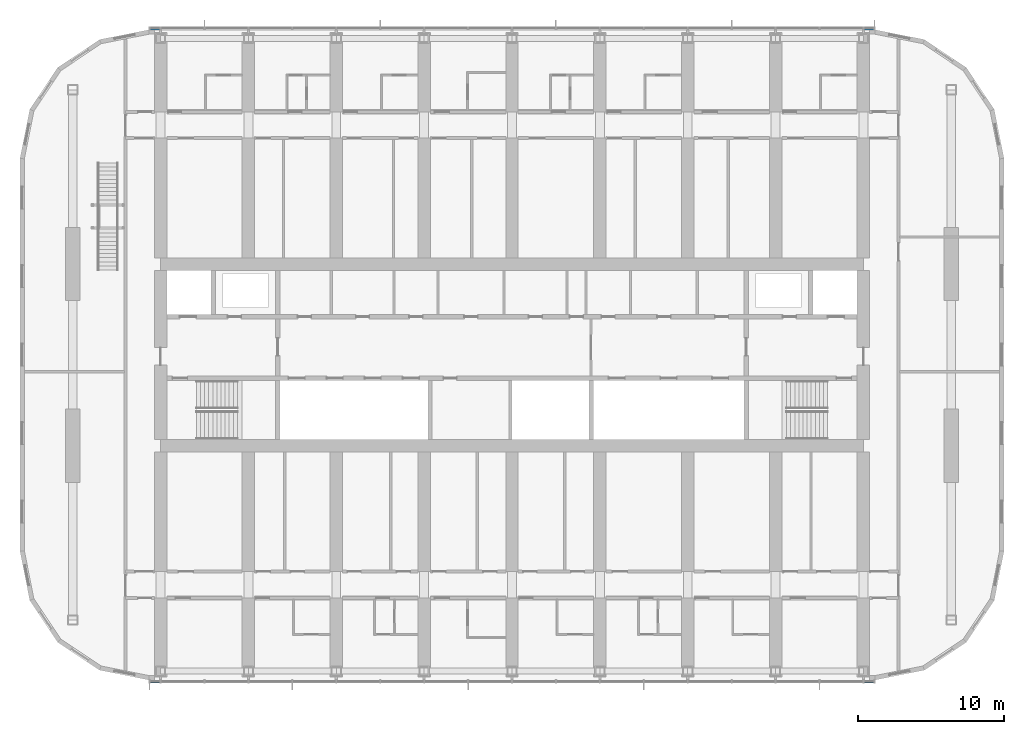
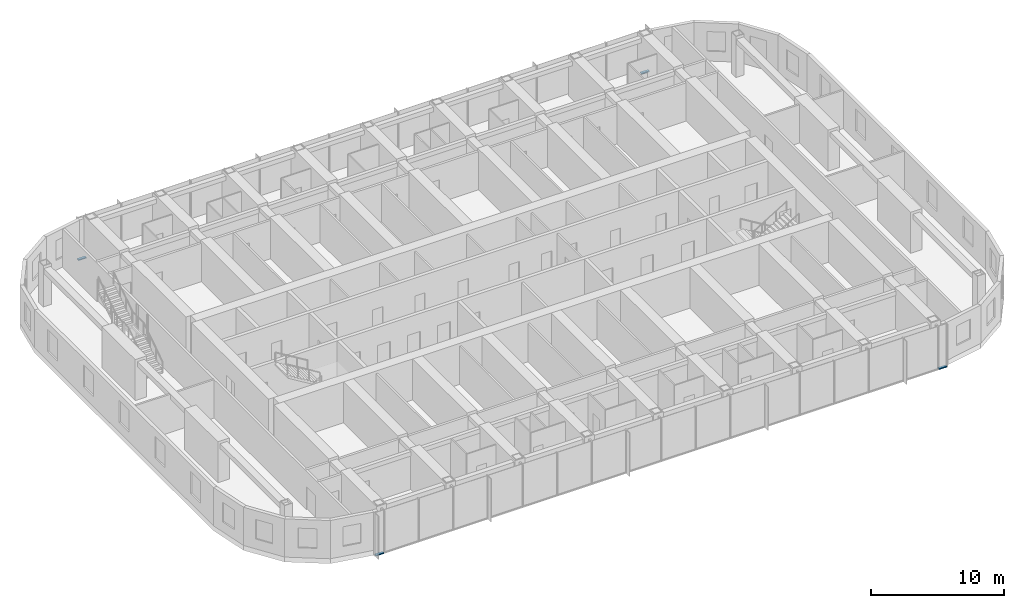
# One storey, part 10 of 29: 4 members, 2 elements without a shape of their own.
"""IFC4 building model written with IfcOpenShell, lengths in metres."""

import ifcopenshell
import ifcopenshell.guid

model = None  # the IFC model being written
_history = None  # IfcOwnerHistory: only IFC2X3 demands one
_inside = {}  # id of a spatial element -> (the spatial element, [elements in it])
_under = {}  # id of a project, library or spatial element -> (it, [spatial elements below it])
_declared = {}  # id of a project -> (the project, [libraries it declares])
_typed = {}  # id of a type object -> (the type object, [elements of that type])
_made_of = {}  # id of a material, layer set ... -> (it, [elements and type objects made of it])


def new_model(schema):
    """Start an empty IFC model of exactly this schema.

    Asked for "IFC4X3", IfcOpenShell would pick the latest addendum, in which some entities
    have other attributes; the version numbers below select the first issue.
    IFC2X3 requires an IfcOwnerHistory on every rooted entity: one is made here for all.
    """
    global model, _history
    if schema == "IFC4X3":
        model = ifcopenshell.file(schema_version=(4, 3, 0, 0))
    else:
        model = ifcopenshell.file(schema=schema)
    _inside.clear()
    _under.clear()
    _declared.clear()
    _typed.clear()
    _made_of.clear()
    _history = None
    if model.schema == "IFC2X3":
        org = make("IfcOrganization", Name="unknown")
        user = make(
            "IfcPersonAndOrganization",
            ThePerson=make("IfcPerson", FamilyName="unknown"),
            TheOrganization=org,
        )
        app = make(
            "IfcApplication",
            ApplicationDeveloper=org,
            Version="unknown",
            ApplicationFullName="unknown",
            ApplicationIdentifier="unknown",
        )
        _history = make(
            "IfcOwnerHistory",
            OwningUser=user,
            OwningApplication=app,
            ChangeAction="ADDED",
            CreationDate=0,
        )
    return model


def make(cls, **values):
    """One entity of the class cls with the attributes given. An attribute that is None is left unset."""
    return model.create_entity(
        cls, **{name: value for name, value in values.items() if value is not None}
    )


def rooted(cls, **values):
    """An entity with a GlobalId (a new one), such as an element, a storey or a relation."""
    return make(cls, GlobalId=ifcopenshell.guid.new(), OwnerHistory=_history, **values)


def si_unit(unit_type, name, prefix=None):
    """IfcSIUnit, for example si_unit("LENGTHUNIT", "METRE", prefix="MILLI")."""
    return make("IfcSIUnit", UnitType=unit_type, Prefix=prefix, Name=name)


def assignment(units):
    """IfcUnitAssignment: the units of a project."""
    return None if units is None else make("IfcUnitAssignment", Units=units)


def point(xyz):
    """IfcCartesianPoint."""
    return None if xyz is None else make("IfcCartesianPoint", Coordinates=xyz)


def direction(xyz):
    """IfcDirection."""
    return None if xyz is None else make("IfcDirection", DirectionRatios=xyz)


def frame(location, z_axis=None, x_axis=None):
    """IfcAxis2Placement3D, a coordinate frame: its origin and axes. An axis left out is left unset."""
    return make(
        "IfcAxis2Placement3D",
        Location=point(location),
        Axis=direction(z_axis),
        RefDirection=direction(x_axis),
    )


def frame_2d(location, x_axis=None):
    """IfcAxis2Placement2D, a coordinate frame in the plane: its origin and x axis."""
    return make(
        "IfcAxis2Placement2D", Location=point(location), RefDirection=direction(x_axis)
    )


def origin():
    """The frame at (0, 0, 0) with its axes left unset."""
    return frame((0.0, 0.0, 0.0))


def origin_2d():
    """The frame at (0, 0) in the plane with its x axis left unset."""
    return frame_2d((0.0, 0.0))


def place(relative_to, where):
    """IfcLocalPlacement: puts the frame where relative to a parent placement (None: the world)."""
    return make(
        "IfcLocalPlacement", PlacementRelTo=relative_to, RelativePlacement=where
    )


def context(
    kind, dimensions, precision=None, world=None, true_north=None, identifier=None
):
    """IfcGeometricRepresentationContext, for example the 3D "Model" context."""
    return make(
        "IfcGeometricRepresentationContext",
        ContextIdentifier=identifier,
        ContextType=kind,
        CoordinateSpaceDimension=dimensions,
        Precision=precision,
        WorldCoordinateSystem=world,
        TrueNorth=true_north,
    )


def subcontext(parent, identifier, kind, view, scale=None):
    """IfcGeometricRepresentationSubContext, for example "Body" below "Model"."""
    return make(
        "IfcGeometricRepresentationSubContext",
        ContextIdentifier=identifier,
        ContextType=kind,
        ParentContext=parent,
        TargetScale=scale,
        TargetView=view,
    )


def project(units=None, contexts=None):
    """IfcProject with its units and contexts."""
    return rooted(
        "IfcProject",
        Name="project",
        RepresentationContexts=contexts,
        UnitsInContext=assignment(units),
    )


def spatial(cls, under=None, at=None, **own):
    """A site, building, storey or space (cls), placed at a placement, below another one or the project."""
    s = rooted(cls, ObjectPlacement=at, **own)
    if under is not None:
        _under.setdefault(under.id(), (under, []))[1].append(s)
    return s


def profile(cls, at=None, kind="AREA", **sizes):
    """A parametric profile (cls). Its sizes go by their IFC names, for example OverallWidth=200.0."""
    return make(cls, ProfileType=kind, Position=at, **sizes)


def rectangle(**sizes):
    """IfcRectangleProfileDef."""
    return profile("IfcRectangleProfileDef", **sizes)


def extrude(swept, where, along, depth):
    """IfcExtrudedAreaSolid: the profile swept, set in the frame where, extruded along a direction by depth."""
    return make(
        "IfcExtrudedAreaSolid",
        SweptArea=swept,
        Position=where,
        ExtrudedDirection=direction(along),
        Depth=depth,
    )


def shape(context_of_items, identifier, shape_type, items):
    """IfcShapeRepresentation: the items that make up one representation, for example the "Body"."""
    return make(
        "IfcShapeRepresentation",
        ContextOfItems=context_of_items,
        RepresentationIdentifier=identifier,
        RepresentationType=shape_type,
        Items=items,
    )


def material(Name=None, Category=None):
    """IfcMaterial."""
    return make("IfcMaterial", Name=Name, Category=Category)


def material_profile(
    of_material, cross_section, Name=None, Category=None, Priority=None
):
    """IfcMaterialProfile: a cross section and its material."""
    return make(
        "IfcMaterialProfile",
        Name=Name,
        Material=of_material,
        Profile=cross_section,
        Priority=Priority,
        Category=Category,
    )


def profile_set(profiles, Name=None, composite=None):
    """IfcMaterialProfileSet."""
    return make(
        "IfcMaterialProfileSet",
        Name=Name,
        MaterialProfiles=profiles,
        CompositeProfile=composite,
    )


def made_of(thing, what):
    """Note that an element or type object is made of a material, layer set ...; save() writes the relation."""
    if what is not None:
        _made_of.setdefault(what.id(), (what, []))[1].append(thing)
    return thing


def type_object(cls, material=None, **own):
    """A type object (cls), such as IfcWallType, which elements share."""
    return made_of(rooted(cls, **own), material)


def element(
    cls,
    number,
    at=None,
    inside=None,
    cuts=None,
    type_object=None,
    material=None,
    context=None,
    identifier="Body",
    shape_type=None,
    held_by="IfcProductDefinitionShape",
    body=None,
    shapes=None,
    **own,
):
    """One element of the class cls, such as IfcWall. Its Tag is "e" and its number.

    at: its placement. inside: the storey or other place that contains it. cuts: it is an
    opening in that element (IfcRelVoidsElement). A single representation is given by context,
    identifier, shape_type and body (its items); several are given by shapes. held_by: the class
    of the entity that holds the representations. save() writes the other relations.
    """
    e = rooted(cls, Tag="e%d" % number, ObjectPlacement=at, **own)
    if body is not None:
        shapes = [shape(context, identifier, shape_type, body)]
    if shapes is not None:
        e.Representation = make(held_by, Representations=shapes)
    if inside is not None:
        _inside.setdefault(inside.id(), (inside, []))[1].append(e)
    if cuts is not None:
        rooted(
            "IfcRelVoidsElement", RelatingBuildingElement=cuts, RelatedOpeningElement=e
        )
    if type_object is not None:
        _typed.setdefault(type_object.id(), (type_object, []))[1].append(e)
    return made_of(e, material)


def aggregate(whole, parts):
    """IfcRelAggregates: a whole, such as a stair, and the parts it consists of."""
    return rooted("IfcRelAggregates", RelatingObject=whole, RelatedObjects=parts)


def save(model, path):
    """Write the relations noted so far, then the file.

    IfcRelAggregates (storeys below a building ...), IfcRelContainedInSpatialStructure (elements
    in a storey), IfcRelDefinesByType, IfcRelAssociatesMaterial and IfcRelDeclares: one each for
    every whole, place, type object, material and project.
    """
    for whole, parts in _under.values():
        aggregate(whole, parts)
    for where, things in _inside.values():
        rooted(
            "IfcRelContainedInSpatialStructure",
            RelatedElements=things,
            RelatingStructure=where,
        )
    for kind, things in _typed.values():
        rooted("IfcRelDefinesByType", RelatedObjects=things, RelatingType=kind)
    for what, things in _made_of.values():
        rooted("IfcRelAssociatesMaterial", RelatedObjects=things, RelatingMaterial=what)
    for by, libraries in _declared.values():
        rooted("IfcRelDeclares", RelatingContext=by, RelatedDefinitions=libraries)
    model.write(path)


model = new_model("IFC4")

# Units and contexts
model_context = context("Model", 3, precision=1e-05, world=origin(), true_north=direction((0.0, 1.0)))
body_context = subcontext(model_context, "Body", "Model", "MODEL_VIEW")
ifc_project = project(units=[si_unit("LENGTHUNIT", "METRE"), si_unit("AREAUNIT", "SQUARE_METRE"), si_unit("VOLUMEUNIT", "CUBIC_METRE"), si_unit("PLANEANGLEUNIT", "RADIAN"), si_unit("MASSUNIT", "GRAM", prefix="KILO")], contexts=[model_context])

# Site, building, storey
site_placement = place(None, origin())
site = spatial("IfcSite", under=ifc_project, at=site_placement, CompositionType="ELEMENT")
building_placement = place(site_placement, origin())
building = spatial("IfcBuilding", under=site, at=building_placement, Name="Orbita Commons", CompositionType="ELEMENT")
storey_placement = place(building_placement, frame((0.0, 0.0, 148.60009765625)))
storey = spatial("IfcBuildingStorey", under=building, at=storey_placement, Name="L36", CompositionType="ELEMENT", Elevation=148.60009765625)

# Curtain wall, members
ifc_material_1 = material(Name="Anodised aluminium frame, pale silver", Category="aluminium")
curtain_wall_type = type_object("IfcCurtainWallType", Name="Unitised curtain wall CW-U, full-height vision", PredefinedType="NOTDEFINED", material=ifc_material_1)
curtain_wall_1_placement = place(storey_placement, origin())
curtain_wall_1 = element("IfcCurtainWall", 1, at=curtain_wall_1_placement, inside=storey, type_object=curtain_wall_type, Name="Curtain wall south L36", PredefinedType="NOTDEFINED")
ifc_material_2 = material(Name="Anodised aluminium, pale silver", Category="aluminium")
ifc_material_profile = material_profile(ifc_material_2, rectangle(XDim=0.219970703125, YDim=0.10009765625, at=origin_2d()), Name="AL 220x100")
ifc_profile_set = profile_set([ifc_material_profile], Name="Anodised aluminium, pale silver")
member_type = type_object("IfcMemberType", Name="Curtain wall stack transom 220x100", PredefinedType="USERDEFINED", material=ifc_profile_set)
member_1_placement = place(storey_placement, frame((17.280029296875, 9.68994140625, -0.400146484375), z_axis=(1.0, 0.0, 0.0), x_axis=(0.0, 1.0, 0.0)))
member_1 = element("IfcMember", 2, at=member_1_placement, type_object=member_type, Name="Transom 1.1 CW-L36-S", ObjectType="TRANSOM", PredefinedType="USERDEFINED", context=body_context, shape_type="SweptSolid", body=[
    extrude(rectangle(XDim=0.219970703125, YDim=0.10009765625, at=origin_2d()), origin(), (0.0, 0.0, 1.0), 0.679931640625),
])
member_2_placement = place(storey_placement, frame((66.0400390625, 9.68994140625, -0.400146484375), z_axis=(1.0, 0.0, 0.0), x_axis=(0.0, 1.0, 0.0)))
member_2 = element("IfcMember", 3, at=member_2_placement, type_object=member_type, Name="Transom 18.1 CW-L36-S", ObjectType="TRANSOM", PredefinedType="USERDEFINED", context=body_context, shape_type="SweptSolid", body=[
    extrude(rectangle(XDim=0.219970703125, YDim=0.10009765625, at=origin_2d()), origin(), (0.0, 0.0, 1.0), 0.679931640625),
])
aggregate(curtain_wall_1, [member_1, member_2])

curtain_wall_2_placement = place(storey_placement, origin())
curtain_wall_2 = element("IfcCurtainWall", 4, at=curtain_wall_2_placement, inside=storey, type_object=curtain_wall_type, Name="Curtain wall north L36", PredefinedType="NOTDEFINED")
member_3_placement = place(storey_placement, frame((66.719970703125, 54.31005859375, -0.400146484375), z_axis=(-1.0, 0.0, 0.0), x_axis=(0.0, -1.0, 0.0)))
member_3 = element("IfcMember", 5, at=member_3_placement, type_object=member_type, Name="Transom 1.1 CW-L36-N", ObjectType="TRANSOM", PredefinedType="USERDEFINED", context=body_context, shape_type="SweptSolid", body=[
    extrude(rectangle(XDim=0.219970703125, YDim=0.10009765625, at=origin_2d()), origin(), (0.0, 0.0, 1.0), 0.679931640625),
])
member_4_placement = place(storey_placement, frame((17.9599609375, 54.31005859375, -0.400146484375), z_axis=(-1.0, 0.0, 0.0), x_axis=(0.0, -1.0, 0.0)))
member_4 = element("IfcMember", 6, at=member_4_placement, type_object=member_type, Name="Transom 18.1 CW-L36-N", ObjectType="TRANSOM", PredefinedType="USERDEFINED", context=body_context, shape_type="SweptSolid", body=[
    extrude(rectangle(XDim=0.219970703125, YDim=0.10009765625, at=origin_2d()), origin(), (0.0, 0.0, 1.0), 0.679931640625),
])
aggregate(curtain_wall_2, [member_3, member_4])

save(model, "model.ifc")
